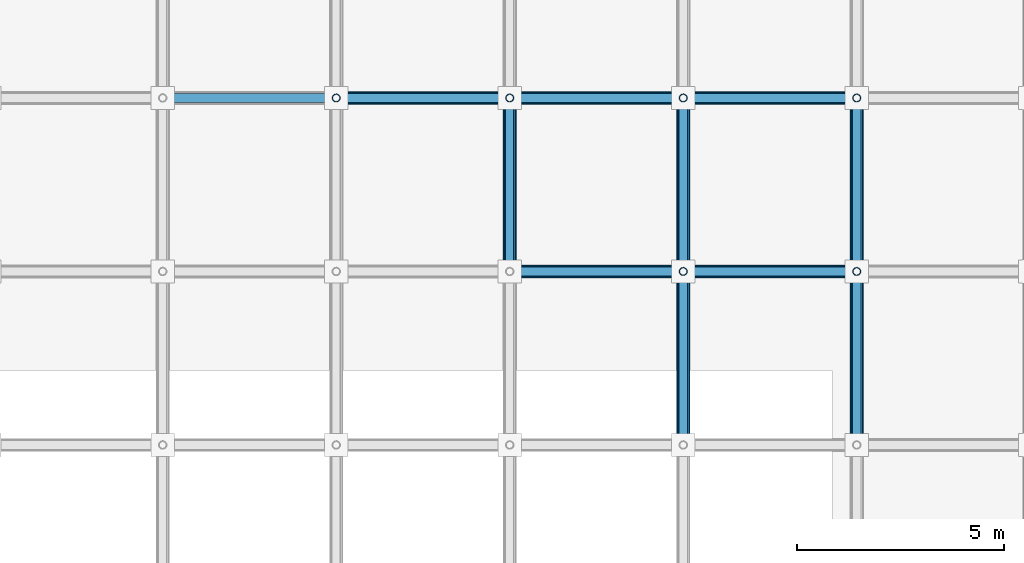
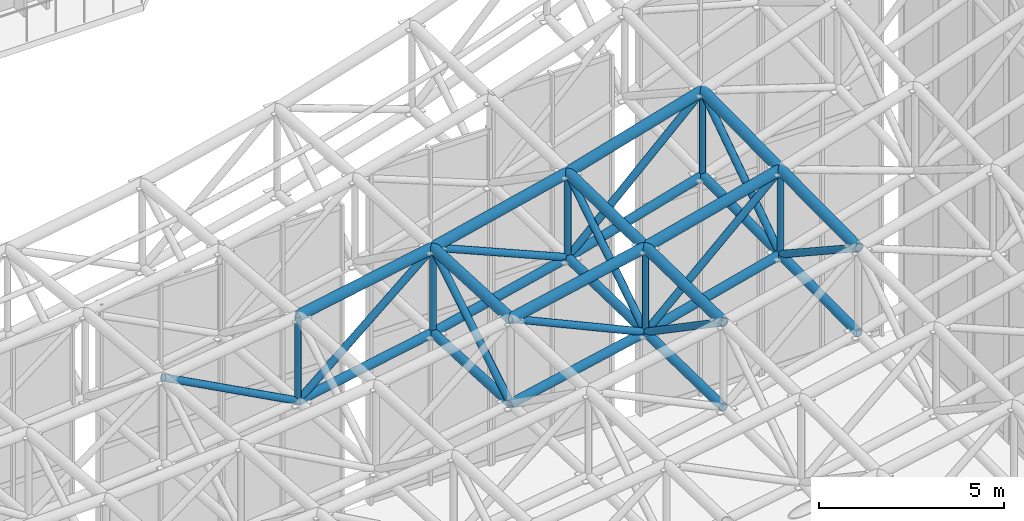
# One storey, part 37 of 93: 37 members.
"""IFC4 building model written with IfcOpenShell, lengths in metres."""

import ifcopenshell
import ifcopenshell.guid

model = None  # the IFC model being written
_history = None  # IfcOwnerHistory: only IFC2X3 demands one
_inside = {}  # id of a spatial element -> (the spatial element, [elements in it])
_under = {}  # id of a project, library or spatial element -> (it, [spatial elements below it])
_declared = {}  # id of a project -> (the project, [libraries it declares])
_typed = {}  # id of a type object -> (the type object, [elements of that type])
_made_of = {}  # id of a material, layer set ... -> (it, [elements and type objects made of it])


def new_model(schema):
    """Start an empty IFC model of exactly this schema.

    Asked for "IFC4X3", IfcOpenShell would pick the latest addendum, in which some entities
    have other attributes; the version numbers below select the first issue.
    IFC2X3 requires an IfcOwnerHistory on every rooted entity: one is made here for all.
    """
    global model, _history
    if schema == "IFC4X3":
        model = ifcopenshell.file(schema_version=(4, 3, 0, 0))
    else:
        model = ifcopenshell.file(schema=schema)
    _inside.clear()
    _under.clear()
    _declared.clear()
    _typed.clear()
    _made_of.clear()
    _history = None
    if model.schema == "IFC2X3":
        org = make("IfcOrganization", Name="unknown")
        user = make(
            "IfcPersonAndOrganization",
            ThePerson=make("IfcPerson", FamilyName="unknown"),
            TheOrganization=org,
        )
        app = make(
            "IfcApplication",
            ApplicationDeveloper=org,
            Version="unknown",
            ApplicationFullName="unknown",
            ApplicationIdentifier="unknown",
        )
        _history = make(
            "IfcOwnerHistory",
            OwningUser=user,
            OwningApplication=app,
            ChangeAction="ADDED",
            CreationDate=0,
        )
    return model


def make(cls, **values):
    """One entity of the class cls with the attributes given. An attribute that is None is left unset."""
    return model.create_entity(
        cls, **{name: value for name, value in values.items() if value is not None}
    )


def rooted(cls, **values):
    """An entity with a GlobalId (a new one), such as an element, a storey or a relation."""
    return make(cls, GlobalId=ifcopenshell.guid.new(), OwnerHistory=_history, **values)


def si_unit(unit_type, name, prefix=None):
    """IfcSIUnit, for example si_unit("LENGTHUNIT", "METRE", prefix="MILLI")."""
    return make("IfcSIUnit", UnitType=unit_type, Prefix=prefix, Name=name)


def assignment(units):
    """IfcUnitAssignment: the units of a project."""
    return None if units is None else make("IfcUnitAssignment", Units=units)


def point(xyz):
    """IfcCartesianPoint."""
    return None if xyz is None else make("IfcCartesianPoint", Coordinates=xyz)


def direction(xyz):
    """IfcDirection."""
    return None if xyz is None else make("IfcDirection", DirectionRatios=xyz)


def frame(location, z_axis=None, x_axis=None):
    """IfcAxis2Placement3D, a coordinate frame: its origin and axes. An axis left out is left unset."""
    return make(
        "IfcAxis2Placement3D",
        Location=point(location),
        Axis=direction(z_axis),
        RefDirection=direction(x_axis),
    )


def frame_2d(location, x_axis=None):
    """IfcAxis2Placement2D, a coordinate frame in the plane: its origin and x axis."""
    return make(
        "IfcAxis2Placement2D", Location=point(location), RefDirection=direction(x_axis)
    )


def origin():
    """The frame at (0, 0, 0) with its axes left unset."""
    return frame((0.0, 0.0, 0.0))


def origin_2d():
    """The frame at (0, 0) in the plane with its x axis left unset."""
    return frame_2d((0.0, 0.0))


def place(relative_to, where):
    """IfcLocalPlacement: puts the frame where relative to a parent placement (None: the world)."""
    return make(
        "IfcLocalPlacement", PlacementRelTo=relative_to, RelativePlacement=where
    )


def context(
    kind, dimensions, precision=None, world=None, true_north=None, identifier=None
):
    """IfcGeometricRepresentationContext, for example the 3D "Model" context."""
    return make(
        "IfcGeometricRepresentationContext",
        ContextIdentifier=identifier,
        ContextType=kind,
        CoordinateSpaceDimension=dimensions,
        Precision=precision,
        WorldCoordinateSystem=world,
        TrueNorth=true_north,
    )


def subcontext(parent, identifier, kind, view, scale=None):
    """IfcGeometricRepresentationSubContext, for example "Body" below "Model"."""
    return make(
        "IfcGeometricRepresentationSubContext",
        ContextIdentifier=identifier,
        ContextType=kind,
        ParentContext=parent,
        TargetScale=scale,
        TargetView=view,
    )


def project(units=None, contexts=None):
    """IfcProject with its units and contexts."""
    return rooted(
        "IfcProject",
        Name="project",
        RepresentationContexts=contexts,
        UnitsInContext=assignment(units),
    )


def spatial(cls, under=None, at=None, **own):
    """A site, building, storey or space (cls), placed at a placement, below another one or the project."""
    s = rooted(cls, ObjectPlacement=at, **own)
    if under is not None:
        _under.setdefault(under.id(), (under, []))[1].append(s)
    return s


def profile(cls, at=None, kind="AREA", **sizes):
    """A parametric profile (cls). Its sizes go by their IFC names, for example OverallWidth=200.0."""
    return make(cls, ProfileType=kind, Position=at, **sizes)


def hollow_circle(**sizes):
    """IfcCircleHollowProfileDef."""
    return profile("IfcCircleHollowProfileDef", **sizes)


def extrude(swept, where, along, depth):
    """IfcExtrudedAreaSolid: the profile swept, set in the frame where, extruded along a direction by depth."""
    return make(
        "IfcExtrudedAreaSolid",
        SweptArea=swept,
        Position=where,
        ExtrudedDirection=direction(along),
        Depth=depth,
    )


def shape(context_of_items, identifier, shape_type, items):
    """IfcShapeRepresentation: the items that make up one representation, for example the "Body"."""
    return make(
        "IfcShapeRepresentation",
        ContextOfItems=context_of_items,
        RepresentationIdentifier=identifier,
        RepresentationType=shape_type,
        Items=items,
    )


def material(Name=None, Category=None):
    """IfcMaterial."""
    return make("IfcMaterial", Name=Name, Category=Category)


def material_profile(
    of_material, cross_section, Name=None, Category=None, Priority=None
):
    """IfcMaterialProfile: a cross section and its material."""
    return make(
        "IfcMaterialProfile",
        Name=Name,
        Material=of_material,
        Profile=cross_section,
        Priority=Priority,
        Category=Category,
    )


def profile_set(profiles, Name=None, composite=None):
    """IfcMaterialProfileSet."""
    return make(
        "IfcMaterialProfileSet",
        Name=Name,
        MaterialProfiles=profiles,
        CompositeProfile=composite,
    )


def made_of(thing, what):
    """Note that an element or type object is made of a material, layer set ...; save() writes the relation."""
    if what is not None:
        _made_of.setdefault(what.id(), (what, []))[1].append(thing)
    return thing


def type_object(cls, material=None, **own):
    """A type object (cls), such as IfcWallType, which elements share."""
    return made_of(rooted(cls, **own), material)


def element(
    cls,
    number,
    at=None,
    inside=None,
    cuts=None,
    type_object=None,
    material=None,
    context=None,
    identifier="Body",
    shape_type=None,
    held_by="IfcProductDefinitionShape",
    body=None,
    shapes=None,
    **own,
):
    """One element of the class cls, such as IfcWall. Its Tag is "e" and its number.

    at: its placement. inside: the storey or other place that contains it. cuts: it is an
    opening in that element (IfcRelVoidsElement). A single representation is given by context,
    identifier, shape_type and body (its items); several are given by shapes. held_by: the class
    of the entity that holds the representations. save() writes the other relations.
    """
    e = rooted(cls, Tag="e%d" % number, ObjectPlacement=at, **own)
    if body is not None:
        shapes = [shape(context, identifier, shape_type, body)]
    if shapes is not None:
        e.Representation = make(held_by, Representations=shapes)
    if inside is not None:
        _inside.setdefault(inside.id(), (inside, []))[1].append(e)
    if cuts is not None:
        rooted(
            "IfcRelVoidsElement", RelatingBuildingElement=cuts, RelatedOpeningElement=e
        )
    if type_object is not None:
        _typed.setdefault(type_object.id(), (type_object, []))[1].append(e)
    return made_of(e, material)


def aggregate(whole, parts):
    """IfcRelAggregates: a whole, such as a stair, and the parts it consists of."""
    return rooted("IfcRelAggregates", RelatingObject=whole, RelatedObjects=parts)


def save(model, path):
    """Write the relations noted so far, then the file.

    IfcRelAggregates (storeys below a building ...), IfcRelContainedInSpatialStructure (elements
    in a storey), IfcRelDefinesByType, IfcRelAssociatesMaterial and IfcRelDeclares: one each for
    every whole, place, type object, material and project.
    """
    for whole, parts in _under.values():
        aggregate(whole, parts)
    for where, things in _inside.values():
        rooted(
            "IfcRelContainedInSpatialStructure",
            RelatedElements=things,
            RelatingStructure=where,
        )
    for kind, things in _typed.values():
        rooted("IfcRelDefinesByType", RelatedObjects=things, RelatingType=kind)
    for what, things in _made_of.values():
        rooted("IfcRelAssociatesMaterial", RelatedObjects=things, RelatingMaterial=what)
    for by, libraries in _declared.values():
        rooted("IfcRelDeclares", RelatingContext=by, RelatedDefinitions=libraries)
    model.write(path)


model = new_model("IFC4")

# Units and contexts
model_context = context("Model", 3, precision=1e-05, world=origin(), true_north=direction((0.0, 1.0)))
body_context = subcontext(model_context, "Body", "Model", "MODEL_VIEW")
ifc_project = project(units=[si_unit("LENGTHUNIT", "METRE"), si_unit("AREAUNIT", "SQUARE_METRE"), si_unit("VOLUMEUNIT", "CUBIC_METRE"), si_unit("PLANEANGLEUNIT", "RADIAN"), si_unit("MASSUNIT", "GRAM", prefix="KILO")], contexts=[model_context])

# Site, building, storey
site_placement = place(None, origin())
site = spatial("IfcSite", under=ifc_project, at=site_placement, CompositionType="ELEMENT")
building_placement = place(site_placement, origin())
building = spatial("IfcBuilding", under=site, at=building_placement, Name="Cumbredor Promenade Congress Hotel", CompositionType="ELEMENT")
storey_placement = place(building_placement, frame((0.0, 0.0, 21.840087890625)))
storey = spatial("IfcBuildingStorey", under=building, at=storey_placement, Name="L06", CompositionType="ELEMENT", Elevation=21.840087890625)

# Members
ifc_material = material(Name="Steel ASTM A500 Grade C", Category="steel")
ifc_material_profile_1 = material_profile(ifc_material, hollow_circle(Radius=0.136474609375, WallThickness=0.01611328125, at=origin_2d()), Name="CHS 273.0x16")
ifc_profile_set_1 = profile_set([ifc_material_profile_1], Name="Steel ASTM A500 Grade C")
member_type_1 = type_object("IfcMemberType", Name="Plenary Roof Space Frame Bottom Chord", PredefinedType="CHORD", material=ifc_profile_set_1)
member_1_placement = place(storey_placement, frame((50.39990234375, 58.800048828125, 8.5185546875), z_axis=(0.978191785727, 0.0, 0.207703708048), x_axis=(0.0, 1.0, 0.0)))
element("IfcMember", 1, at=member_1_placement, inside=storey, type_object=member_type_1, Name="Plenary Congress Hall X Bottom Chord 14.15", PredefinedType="CHORD", context=body_context, shape_type="SweptSolid", body=[
    extrude(hollow_circle(Radius=0.136474609375, WallThickness=0.01611328125, at=origin_2d()), origin(), (0.0, 0.0, 1.0), 4.2939453125),
])
member_2_placement = place(storey_placement, frame((54.60009765625, 58.800048828125, 9.410400390625), z_axis=(0.967956385094, 0.0, 0.251118371602), x_axis=(0.0, 1.0, 0.0)))
element("IfcMember", 2, at=member_2_placement, inside=storey, type_object=member_type_1, Name="Plenary Congress Hall X Bottom Chord 15.15", PredefinedType="CHORD", context=body_context, shape_type="SweptSolid", body=[
    extrude(hollow_circle(Radius=0.136474609375, WallThickness=0.01611328125, at=origin_2d()), origin(), (0.0, 0.0, 1.0), 4.3388671875),
])
member_3_placement = place(storey_placement, frame((46.199951171875, 63.0, 7.53759765625), z_axis=(0.98316659684, 0.0, 0.182711364884), x_axis=(0.0, 1.0, 0.0)))
element("IfcMember", 3, at=member_3_placement, inside=storey, type_object=member_type_1, Name="Plenary Congress Hall X Bottom Chord 13.16", PredefinedType="CHORD", context=body_context, shape_type="SweptSolid", body=[
    extrude(hollow_circle(Radius=0.136474609375, WallThickness=0.01611328125, at=origin_2d()), origin(), (0.0, 0.0, 1.0), 4.27197265625),
])
member_4_placement = place(storey_placement, frame((50.39990234375, 63.0, 8.318115234375), z_axis=(0.972630020148, 0.0, 0.232359299163), x_axis=(0.0, 1.0, 0.0)))
element("IfcMember", 4, at=member_4_placement, inside=storey, type_object=member_type_1, Name="Plenary Congress Hall X Bottom Chord 14.16", PredefinedType="CHORD", context=body_context, shape_type="SweptSolid", body=[
    extrude(hollow_circle(Radius=0.136474609375, WallThickness=0.01611328125, at=origin_2d()), origin(), (0.0, 0.0, 1.0), 4.318359375),
])
member_5_placement = place(storey_placement, frame((54.60009765625, 63.0, 9.321533203125), z_axis=(0.959918089998, 0.0, 0.280280681629), x_axis=(0.0, 1.0, 0.0)))
element("IfcMember", 5, at=member_5_placement, inside=storey, type_object=member_type_1, Name="Plenary Congress Hall X Bottom Chord 15.16", PredefinedType="CHORD", context=body_context, shape_type="SweptSolid", body=[
    extrude(hollow_circle(Radius=0.136474609375, WallThickness=0.01611328125, at=origin_2d()), origin(), (0.0, 0.0, 1.0), 4.375244140625),
])
member_6_placement = place(storey_placement, frame((50.39990234375, 58.800048828125, 8.5185546875), z_axis=(0.0, 0.998863140355, -0.047669978389), x_axis=(-1.0, 0.0, 0.0)))
element("IfcMember", 6, at=member_6_placement, inside=storey, type_object=member_type_1, Name="Plenary Congress Hall Y Bottom Chord 14.15", PredefinedType="CHORD", context=body_context, shape_type="SweptSolid", body=[
    extrude(hollow_circle(Radius=0.136474609375, WallThickness=0.01611328125, at=origin_2d()), origin(), (0.0, 0.0, 1.0), 4.204833984375),
])
member_7_placement = place(storey_placement, frame((54.60009765625, 54.60009765625, 9.484130859375), z_axis=(0.0, 0.999845945232, -0.017552373159), x_axis=(-1.0, 0.0, 0.0)))
element("IfcMember", 7, at=member_7_placement, inside=storey, type_object=member_type_1, Name="Plenary Congress Hall Y Bottom Chord 15.14", PredefinedType="CHORD", context=body_context, shape_type="SweptSolid", body=[
    extrude(hollow_circle(Radius=0.136474609375, WallThickness=0.01611328125, at=origin_2d()), origin(), (0.0, 0.0, 1.0), 4.20068359375),
])
member_8_placement = place(storey_placement, frame((54.60009765625, 58.800048828125, 9.410400390625), z_axis=(0.0, 0.999776221378, -0.021154365203), x_axis=(-1.0, 0.0, 0.0)))
element("IfcMember", 8, at=member_8_placement, inside=storey, type_object=member_type_1, Name="Plenary Congress Hall Y Bottom Chord 15.15", PredefinedType="CHORD", context=body_context, shape_type="SweptSolid", body=[
    extrude(hollow_circle(Radius=0.136474609375, WallThickness=0.01611328125, at=origin_2d()), origin(), (0.0, 0.0, 1.0), 4.200927734375),
])
for number, where, z_axis, x_axis, name in (
    (9, (58.800048828125, 54.60009765625, 10.4599609375), (0.0, 0.999954561946, 0.009532787779), (-1.0, 0.0, 0.0), "Plenary Congress Hall Y Bottom Chord 16.14"),
    (10, (58.800048828125, 58.800048828125, 10.5), (0.0, 0.999935101974, 0.011392622216), (-1.0, 0.0, 0.0), "Plenary Congress Hall Y Bottom Chord 16.15"),
):
    element("IfcMember", number, at=place(storey_placement, frame(where, z_axis=z_axis, x_axis=x_axis)), inside=storey, type_object=member_type_1, Name=name, PredefinedType="CHORD", context=body_context, shape_type="SweptSolid", body=[
        extrude(hollow_circle(Radius=0.136474609375, WallThickness=0.01611328125, at=origin_2d()), origin(), (0.0, 0.0, 1.0), 4.2001953125),
    ])
ifc_material_profile_2 = material_profile(ifc_material, hollow_circle(Radius=0.161865234375, WallThickness=0.01611328125, at=origin_2d()), Name="CHS 323.9x16")
ifc_profile_set_2 = profile_set([ifc_material_profile_2], Name="Steel ASTM A500 Grade C")
member_type_2 = type_object("IfcMemberType", Name="Plenary Roof Space Frame Top Chord", PredefinedType="CHORD", material=ifc_profile_set_2)
member_9_placement = place(storey_placement, frame((50.39990234375, 58.800048828125, 11.318603515625), z_axis=(0.978203336501, 0.0, 0.20764930161), x_axis=(0.0, 1.0, 0.0)))
element("IfcMember", 11, at=member_9_placement, inside=storey, type_object=member_type_2, Name="Plenary Congress Hall X Top Chord 14.15", PredefinedType="CHORD", context=body_context, shape_type="SweptSolid", body=[
    extrude(hollow_circle(Radius=0.161865234375, WallThickness=0.01611328125, at=origin_2d()), origin(), (0.0, 0.0, 1.0), 4.293701171875),
])
member_10_placement = place(storey_placement, frame((54.60009765625, 58.800048828125, 12.210205078125), z_axis=(0.967942707008, 0.0, 0.251171089001), x_axis=(0.0, 1.0, 0.0)))
element("IfcMember", 12, at=member_10_placement, inside=storey, type_object=member_type_2, Name="Plenary Congress Hall X Top Chord 15.15", PredefinedType="CHORD", context=body_context, shape_type="SweptSolid", body=[
    extrude(hollow_circle(Radius=0.161865234375, WallThickness=0.01611328125, at=origin_2d()), origin(), (0.0, 0.0, 1.0), 4.339111328125),
])
member_11_placement = place(storey_placement, frame((46.199951171875, 63.0, 10.337646484375), z_axis=(0.98316659684, 0.0, 0.182711364884), x_axis=(0.0, 1.0, 0.0)))
element("IfcMember", 13, at=member_11_placement, inside=storey, type_object=member_type_2, Name="Plenary Congress Hall X Top Chord 13.16", PredefinedType="CHORD", context=body_context, shape_type="SweptSolid", body=[
    extrude(hollow_circle(Radius=0.161865234375, WallThickness=0.01611328125, at=origin_2d()), origin(), (0.0, 0.0, 1.0), 4.27197265625),
])
member_12_placement = place(storey_placement, frame((50.39990234375, 63.0, 11.1181640625), z_axis=(0.972630020148, 0.0, 0.232359299163), x_axis=(0.0, 1.0, 0.0)))
element("IfcMember", 14, at=member_12_placement, inside=storey, type_object=member_type_2, Name="Plenary Congress Hall X Top Chord 14.16", PredefinedType="CHORD", context=body_context, shape_type="SweptSolid", body=[
    extrude(hollow_circle(Radius=0.161865234375, WallThickness=0.01611328125, at=origin_2d()), origin(), (0.0, 0.0, 1.0), 4.318359375),
])
member_13_placement = place(storey_placement, frame((54.60009765625, 63.0, 12.12158203125), z_axis=(0.959918089998, 0.0, 0.280280681629), x_axis=(0.0, 1.0, 0.0)))
element("IfcMember", 15, at=member_13_placement, inside=storey, type_object=member_type_2, Name="Plenary Congress Hall X Top Chord 15.16", PredefinedType="CHORD", context=body_context, shape_type="SweptSolid", body=[
    extrude(hollow_circle(Radius=0.161865234375, WallThickness=0.01611328125, at=origin_2d()), origin(), (0.0, 0.0, 1.0), 4.375244140625),
])
member_14_placement = place(storey_placement, frame((50.39990234375, 58.800048828125, 11.318603515625), z_axis=(0.0, 0.998863140355, -0.047669978389), x_axis=(-1.0, 0.0, 0.0)))
element("IfcMember", 16, at=member_14_placement, inside=storey, type_object=member_type_2, Name="Plenary Congress Hall Y Top Chord 14.15", PredefinedType="CHORD", context=body_context, shape_type="SweptSolid", body=[
    extrude(hollow_circle(Radius=0.161865234375, WallThickness=0.01611328125, at=origin_2d()), origin(), (0.0, 0.0, 1.0), 4.204833984375),
])
member_15_placement = place(storey_placement, frame((54.60009765625, 54.60009765625, 12.2841796875), z_axis=(0.0, 0.99984492355, -0.017610475605), x_axis=(-1.0, 0.0, 0.0)))
element("IfcMember", 17, at=member_15_placement, inside=storey, type_object=member_type_2, Name="Plenary Congress Hall Y Top Chord 15.14", PredefinedType="CHORD", context=body_context, shape_type="SweptSolid", body=[
    extrude(hollow_circle(Radius=0.161865234375, WallThickness=0.01611328125, at=origin_2d()), origin(), (0.0, 0.0, 1.0), 4.20068359375),
])
member_16_placement = place(storey_placement, frame((54.60009765625, 58.800048828125, 12.210205078125), z_axis=(0.0, 0.999777448832, -0.021096274715), x_axis=(-1.0, 0.0, 0.0)))
element("IfcMember", 18, at=member_16_placement, inside=storey, type_object=member_type_2, Name="Plenary Congress Hall Y Top Chord 15.15", PredefinedType="CHORD", context=body_context, shape_type="SweptSolid", body=[
    extrude(hollow_circle(Radius=0.161865234375, WallThickness=0.01611328125, at=origin_2d()), origin(), (0.0, 0.0, 1.0), 4.200927734375),
])
for number, where, z_axis, x_axis, name in (
    (19, (58.800048828125, 54.60009765625, 13.260009765625), (0.0, 0.999954561946, 0.009532787779), (-1.0, 0.0, 0.0), "Plenary Congress Hall Y Top Chord 16.14"),
    (20, (58.800048828125, 58.800048828125, 13.300048828125), (0.0, 0.999935101974, 0.011392622216), (-1.0, 0.0, 0.0), "Plenary Congress Hall Y Top Chord 16.15"),
):
    element("IfcMember", number, at=place(storey_placement, frame(where, z_axis=z_axis, x_axis=x_axis)), inside=storey, type_object=member_type_2, Name=name, PredefinedType="CHORD", context=body_context, shape_type="SweptSolid", body=[
        extrude(hollow_circle(Radius=0.161865234375, WallThickness=0.01611328125, at=origin_2d()), origin(), (0.0, 0.0, 1.0), 4.2001953125),
    ])
ifc_material_profile_3 = material_profile(ifc_material, hollow_circle(Radius=0.109619140625, WallThickness=0.012451171875, at=origin_2d()), Name="CHS 219.1x12.5")
ifc_profile_set_3 = profile_set([ifc_material_profile_3], Name="Steel ASTM A500 Grade C")
member_type_3 = type_object("IfcMemberType", Name="Space Frame Web Diagonal D1", PredefinedType="BRACE", material=ifc_profile_set_3)
member_17_placement = place(storey_placement, frame((50.39990234375, 58.800048828125, 11.318603515625), z_axis=(0.910446203946, 0.0, -0.413627501165), x_axis=(0.0, 1.0, 0.0)))
element("IfcMember", 21, at=member_17_placement, inside=storey, type_object=member_type_3, Name="Plenary Congress Hall X Web Diagonal 14.15", PredefinedType="BRACE", context=body_context, shape_type="SweptSolid", body=[
    extrude(hollow_circle(Radius=0.109619140625, WallThickness=0.012451171875, at=origin_2d()), origin(), (0.0, 0.0, 1.0), 4.61328125),
])
member_18_placement = place(storey_placement, frame((54.60009765625, 58.800048828125, 9.410400390625), z_axis=(0.733690585916, 0.0, 0.679483718817), x_axis=(0.0, 1.0, 0.0)))
element("IfcMember", 22, at=member_18_placement, inside=storey, type_object=member_type_3, Name="Plenary Congress Hall X Web Diagonal 15.15", PredefinedType="BRACE", context=body_context, shape_type="SweptSolid", body=[
    extrude(hollow_circle(Radius=0.109619140625, WallThickness=0.012451171875, at=origin_2d()), origin(), (0.0, 0.0, 1.0), 5.724365234375),
])
member_19_placement = place(storey_placement, frame((42.0, 63.0, 9.7802734375), z_axis=(0.882117205046, 0.0, -0.471029974165), x_axis=(0.0, 1.0, 0.0)))
element("IfcMember", 23, at=member_19_placement, inside=storey, type_object=member_type_3, Name="Plenary Congress Hall X Web Diagonal 12.16", PredefinedType="BRACE", context=body_context, shape_type="SweptSolid", body=[
    extrude(hollow_circle(Radius=0.109619140625, WallThickness=0.012451171875, at=origin_2d()), origin(), (0.0, 0.0, 1.0), 4.76123046875),
])
member_20_placement = place(storey_placement, frame((46.199951171875, 63.0, 7.53759765625), z_axis=(0.760990029258, 0.0, 0.648763574324), x_axis=(0.0, 1.0, 0.0)))
element("IfcMember", 24, at=member_20_placement, inside=storey, type_object=member_type_3, Name="Plenary Congress Hall X Web Diagonal 13.16", PredefinedType="BRACE", context=body_context, shape_type="SweptSolid", body=[
    extrude(hollow_circle(Radius=0.109619140625, WallThickness=0.012451171875, at=origin_2d()), origin(), (0.0, 0.0, 1.0), 5.51904296875),
])
member_21_placement = place(storey_placement, frame((50.39990234375, 63.0, 11.1181640625), z_axis=(0.919418468798, 0.0, -0.393280662165), x_axis=(0.0, 1.0, 0.0)))
element("IfcMember", 25, at=member_21_placement, inside=storey, type_object=member_type_3, Name="Plenary Congress Hall X Web Diagonal 14.16", PredefinedType="BRACE", context=body_context, shape_type="SweptSolid", body=[
    extrude(hollow_circle(Radius=0.109619140625, WallThickness=0.012451171875, at=origin_2d()), origin(), (0.0, 0.0, 1.0), 4.568359375),
])
member_22_placement = place(storey_placement, frame((54.60009765625, 63.0, 9.321533203125), z_axis=(0.721866789936, 0.0, 0.692032035088), x_axis=(0.0, 1.0, 0.0)))
element("IfcMember", 26, at=member_22_placement, inside=storey, type_object=member_type_3, Name="Plenary Congress Hall X Web Diagonal 15.16", PredefinedType="BRACE", context=body_context, shape_type="SweptSolid", body=[
    extrude(hollow_circle(Radius=0.109619140625, WallThickness=0.012451171875, at=origin_2d()), origin(), (0.0, 0.0, 1.0), 5.818115234375),
])
member_23_placement = place(storey_placement, frame((50.39990234375, 58.800048828125, 8.5185546875), z_axis=(0.0, 0.850297799479, 0.526301864143), x_axis=(-1.0, 0.0, 0.0)))
element("IfcMember", 27, at=member_23_placement, inside=storey, type_object=member_type_3, Name="Plenary Congress Hall Y Web Diagonal 14.15", PredefinedType="BRACE", context=body_context, shape_type="SweptSolid", body=[
    extrude(hollow_circle(Radius=0.109619140625, WallThickness=0.012451171875, at=origin_2d()), origin(), (0.0, 0.0, 1.0), 4.939453125),
])
member_24_placement = place(storey_placement, frame((54.60009765625, 54.60009765625, 12.2841796875), z_axis=(0.0, 0.825295493881, -0.56470111367), x_axis=(-1.0, 0.0, 0.0)))
element("IfcMember", 28, at=member_24_placement, inside=storey, type_object=member_type_3, Name="Plenary Congress Hall Y Web Diagonal 15.14", PredefinedType="BRACE", context=body_context, shape_type="SweptSolid", body=[
    extrude(hollow_circle(Radius=0.109619140625, WallThickness=0.012451171875, at=origin_2d()), origin(), (0.0, 0.0, 1.0), 5.089111328125),
])
member_25_placement = place(storey_placement, frame((54.60009765625, 58.800048828125, 9.410400390625), z_axis=(0.0, 0.840156673555, 0.5423437691), x_axis=(-1.0, 0.0, 0.0)))
element("IfcMember", 29, at=member_25_placement, inside=storey, type_object=member_type_3, Name="Plenary Congress Hall Y Web Diagonal 15.15", PredefinedType="BRACE", context=body_context, shape_type="SweptSolid", body=[
    extrude(hollow_circle(Radius=0.109619140625, WallThickness=0.012451171875, at=origin_2d()), origin(), (0.0, 0.0, 1.0), 4.9990234375),
])
member_26_placement = place(storey_placement, frame((58.800048828125, 54.60009765625, 13.260009765625), z_axis=(0.0, 0.835701657629, -0.549183702813), x_axis=(-1.0, 0.0, 0.0)))
element("IfcMember", 30, at=member_26_placement, inside=storey, type_object=member_type_3, Name="Plenary Congress Hall Y Web Diagonal 16.14", PredefinedType="BRACE", context=body_context, shape_type="SweptSolid", body=[
    extrude(hollow_circle(Radius=0.109619140625, WallThickness=0.012451171875, at=origin_2d()), origin(), (0.0, 0.0, 1.0), 5.025634765625),
])
member_27_placement = place(storey_placement, frame((58.800048828125, 58.800048828125, 10.5), z_axis=(0.0, 0.827664938606, 0.561222548907), x_axis=(-1.0, 0.0, 0.0)))
element("IfcMember", 31, at=member_27_placement, inside=storey, type_object=member_type_3, Name="Plenary Congress Hall Y Web Diagonal 16.15", PredefinedType="BRACE", context=body_context, shape_type="SweptSolid", body=[
    extrude(hollow_circle(Radius=0.109619140625, WallThickness=0.012451171875, at=origin_2d()), origin(), (0.0, 0.0, 1.0), 5.074462890625),
])
ifc_material_profile_4 = material_profile(ifc_material, hollow_circle(Radius=0.096923828125, WallThickness=0.010009765625, at=origin_2d()), Name="CHS 193.7x10")
ifc_profile_set_4 = profile_set([ifc_material_profile_4], Name="Steel ASTM A500 Grade C")
member_type_4 = type_object("IfcMemberType", Name="Space Frame Web Post P1", PredefinedType="BRACE", material=ifc_profile_set_4)
for number, where, z_axis, x_axis, name in (
    (32, (46.199951171875, 63.0, 7.53759765625), (0.0, 0.0, 1.0), (1.0, 0.0, 0.0), "Plenary Congress Hall Space Frame Web Post 13.16"),
    (33, (50.39990234375, 63.0, 8.318115234375), (0.0, 0.0, 1.0), (1.0, 0.0, 0.0), "Plenary Congress Hall Space Frame Web Post 14.16"),
):
    element("IfcMember", number, at=place(storey_placement, frame(where, z_axis=z_axis, x_axis=x_axis)), inside=storey, type_object=member_type_4, Name=name, PredefinedType="BRACE", context=body_context, shape_type="SweptSolid", body=[
        extrude(hollow_circle(Radius=0.096923828125, WallThickness=0.010009765625, at=origin_2d()), origin(), (0.0, 0.0, 1.0), 2.800048828125),
    ])
member_28_placement = place(storey_placement, frame((54.60009765625, 58.800048828125, 9.410400390625), z_axis=(0.0, 0.0, 1.0), x_axis=(1.0, 0.0, 0.0)))
element("IfcMember", 34, at=member_28_placement, inside=storey, type_object=member_type_4, Name="Plenary Congress Hall Space Frame Web Post 15.15", PredefinedType="BRACE", context=body_context, shape_type="SweptSolid", body=[
    extrude(hollow_circle(Radius=0.096923828125, WallThickness=0.010009765625, at=origin_2d()), origin(), (0.0, 0.0, 1.0), 2.7998046875),
])
for number, where, z_axis, x_axis, name in (
    (35, (54.60009765625, 63.0, 9.321533203125), (0.0, 0.0, 1.0), (1.0, 0.0, 0.0), "Plenary Congress Hall Space Frame Web Post 15.16"),
    (36, (58.800048828125, 58.800048828125, 10.5), (0.0, 0.0, 1.0), (1.0, 0.0, 0.0), "Plenary Congress Hall Space Frame Web Post 16.15"),
    (37, (58.800048828125, 63.0, 10.5478515625), (0.0, 0.0, 1.0), (1.0, 0.0, 0.0), "Plenary Congress Hall Space Frame Web Post 16.16"),
):
    element("IfcMember", number, at=place(storey_placement, frame(where, z_axis=z_axis, x_axis=x_axis)), inside=storey, type_object=member_type_4, Name=name, PredefinedType="BRACE", context=body_context, shape_type="SweptSolid", body=[
        extrude(hollow_circle(Radius=0.096923828125, WallThickness=0.010009765625, at=origin_2d()), origin(), (0.0, 0.0, 1.0), 2.800048828125),
    ])

save(model, "model.ifc")
